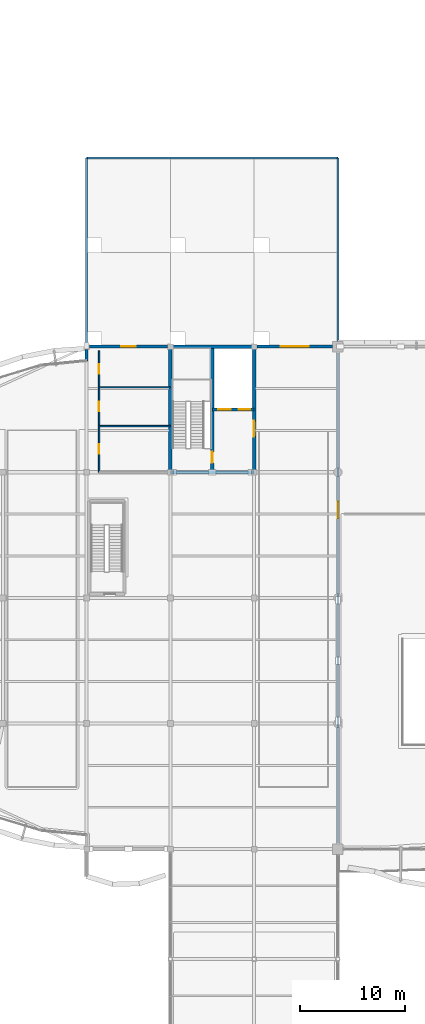
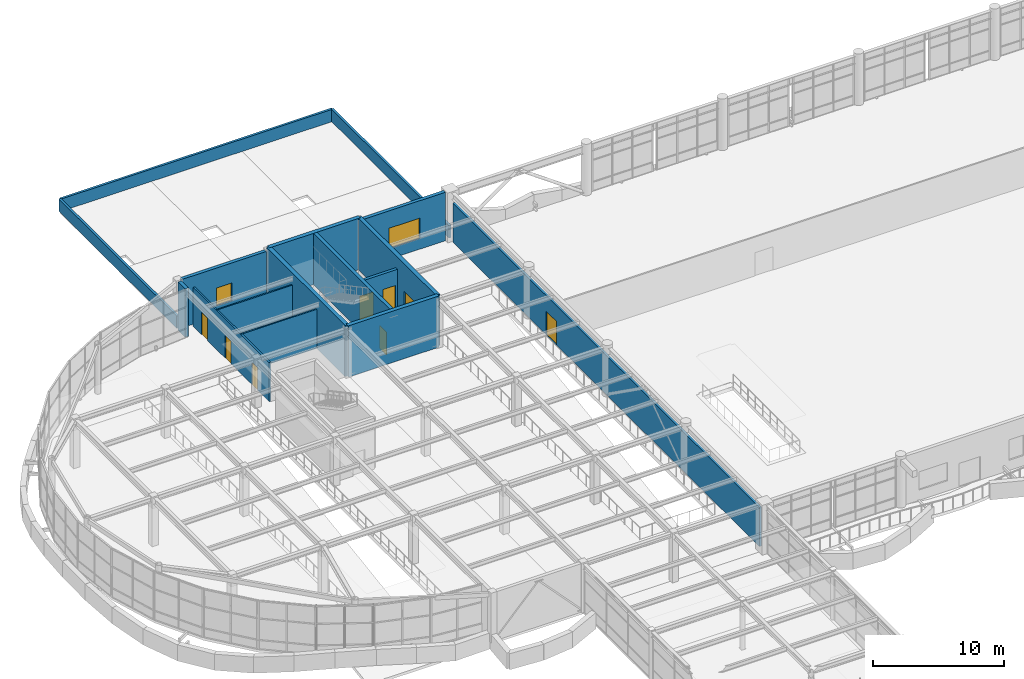
# One storey, part 50 of 72: 16 walls, 8 doors, 2 windows, 10 openings.
"""IFC4 building model written with IfcOpenShell, lengths in metres."""

from ifc_helpers import new_model, si_unit, direction, frame, frame_2d, origin, place, context, subcontext, project, spatial, rectangle, extrude, material, layer, layer_set, type_object, element, fill, save


model = new_model("IFC4")

# Units and contexts
model_context = context("Model", 3, precision=1e-05, world=origin(), true_north=direction((0.0, 1.0)))
body_context = subcontext(model_context, "Body", "Model", "MODEL_VIEW")
ifc_project = project(units=[si_unit("LENGTHUNIT", "METRE"), si_unit("AREAUNIT", "SQUARE_METRE"), si_unit("VOLUMEUNIT", "CUBIC_METRE"), si_unit("PLANEANGLEUNIT", "RADIAN"), si_unit("MASSUNIT", "GRAM", prefix="KILO")], contexts=[model_context])

# Site, building, storey
site_placement = place(None, origin())
site = spatial("IfcSite", under=ifc_project, at=site_placement, CompositionType="ELEMENT")
building_placement = place(site_placement, origin())
building = spatial("IfcBuilding", under=site, at=building_placement, Name="Keelwater Ferry Terminal", CompositionType="ELEMENT")
storey_placement = place(building_placement, frame((0.0, 0.0, 5.39990234375)))
storey = spatial("IfcBuildingStorey", under=building, at=storey_placement, Name="L01", CompositionType="ELEMENT", Elevation=5.39990234375)

# Wall
ifc_material_1 = material(Name="Precast concrete C40/50", Category="concrete")
ifc_layer_1 = layer(ifc_material_1, 0.300048828125)
ifc_layer_set_1 = layer_set([ifc_layer_1], Name="Precast concrete C40/50")
wall_type_1 = type_object("IfcWallType", Name="EW-PC300 External Solid Wall 300", PredefinedType="SOLIDWALL", material=ifc_layer_set_1)
wall_1_placement = place(storey_placement, frame((24.0, 89.72509765625, 0.0), z_axis=(0.0, 0.0, 1.0), x_axis=(0.0, -1.0, 0.0)))
element("IfcWall", 1, at=wall_1_placement, inside=storey, type_object=wall_type_1, Name="External Wall WL-L01-0021", PredefinedType="SOLIDWALL", context=body_context, shape_type="SweptSolid", body=[
    extrude(rectangle(XDim=1.0751953125, YDim=0.300048828125, at=frame_2d((0.53759765625, 0.0))), origin(), (0.0, 0.0, 1.0), 4.52001953125),
])

# Wall, opening, window
wall_2_placement = place(storey_placement, frame((24.27490234375, 90.0, 0.0), z_axis=(0.0, 0.0, 1.0), x_axis=(1.0, 0.0, 0.0)))
wall_2 = element("IfcWall", 2, at=wall_2_placement, inside=storey, type_object=wall_type_1, Name="External Wall WL-L01-0063", PredefinedType="SOLIDWALL", context=body_context, shape_type="SweptSolid", body=[
    extrude(rectangle(XDim=7.4501953125, YDim=0.300048828125, at=frame_2d((3.72509765625, 0.0))), origin(), (0.0, 0.0, 1.0), 4.52001953125),
])
opening_1_placement = place(wall_2_placement, frame((3.050048828125, 0.0, 1.0)))
opening_1 = element("IfcOpeningElement", 3, at=opening_1_placement, cuts=wall_2, Name="Opening WN-30", PredefinedType="OPENING", context=body_context, shape_type="SweptSolid", body=[
    extrude(rectangle(XDim=1.35009765625, YDim=1.64990234375, at=frame_2d((0.675048828125, 0.824951171875))), frame((0.0, 0.159912109375, 0.0), z_axis=(0.0, -1.0, 0.0), x_axis=(1.0, 0.0, 0.0)), (0.0, 0.0, 1.0), 0.320068359375),
])
ifc_material_2 = material(Name="Triple low-E glass in thermally broken aluminium frame", Category="aluminium")
window_type_1 = type_object("IfcWindowType", Name="WN-30 Exterior Window 1350x1650", PartitioningType="SINGLE_PANEL", PredefinedType="WINDOW", material=ifc_material_2)
window_1_placement = place(opening_1_placement, origin())
window_1 = element("IfcWindow", 4, at=window_1_placement, inside=storey, type_object=window_type_1, Name="Window WN-L01-0030", OverallHeight=1.64990234375, OverallWidth=1.35009765625, PartitioningType="SINGLE_PANEL", PredefinedType="WINDOW", context=body_context, shape_type="SweptSolid", body=[
    extrude(rectangle(XDim=1.35009765625, YDim=1.64990234375, at=frame_2d((0.675048828125, 0.824951171875))), frame((0.0, 0.030029296875, 0.0), z_axis=(0.0, -1.0, 0.0), x_axis=(1.0, 0.0, 0.0)), (0.0, 0.0, 1.0), 0.06005859375),
])
fill(opening_1, window_1)

wall_3_placement = place(storey_placement, frame((40.27490234375, 90.0, 0.0), z_axis=(0.0, 0.0, 1.0), x_axis=(1.0, 0.0, 0.0)))
wall_3 = element("IfcWall", 5, at=wall_3_placement, inside=storey, type_object=wall_type_1, Name="External Wall WL-L01-0064", PredefinedType="SOLIDWALL", context=body_context, shape_type="SweptSolid", body=[
    extrude(rectangle(XDim=7.22509765625, YDim=0.300048828125, at=frame_2d((3.612548828125, 0.0))), origin(), (0.0, 0.0, 1.0), 4.52001953125),
])
opening_2_placement = place(wall_3_placement, frame((2.262939453125, 0.0, 1.0)))
opening_2 = element("IfcOpeningElement", 6, at=opening_2_placement, cuts=wall_3, Name="Opening WN-31", PredefinedType="OPENING", context=body_context, shape_type="SweptSolid", body=[
    extrude(rectangle(XDim=2.699951171875, YDim=1.89990234375, at=frame_2d((1.35009765625, 0.949951171875))), frame((0.0, 0.159912109375, 0.0), z_axis=(0.0, -1.0, 0.0), x_axis=(1.0, 0.0, 0.0)), (0.0, 0.0, 1.0), 0.320068359375),
])
ifc_material_3 = material(Name="Triple low-E glass in thermally broken aluminium frame", Category="aluminium")
window_type_2 = type_object("IfcWindowType", Name="WN-31 Exterior Window 2700x1900", PartitioningType="SINGLE_PANEL", PredefinedType="WINDOW", material=ifc_material_3)
window_2_placement = place(opening_2_placement, origin())
window_2 = element("IfcWindow", 7, at=window_2_placement, inside=storey, type_object=window_type_2, Name="Window WN-L01-0031", OverallHeight=1.89990234375, OverallWidth=2.699951171875, PartitioningType="SINGLE_PANEL", PredefinedType="WINDOW", context=body_context, shape_type="SweptSolid", body=[
    extrude(rectangle(XDim=2.699951171875, YDim=1.89990234375, at=frame_2d((1.35009765625, 0.949951171875))), frame((0.0, 0.030029296875, 0.0), z_axis=(0.0, -1.0, 0.0), x_axis=(1.0, 0.0, 0.0)), (0.0, 0.0, 1.0), 0.06005859375),
])
fill(opening_2, window_2)

# Wall, opening, door
ifc_material_4 = material(Name="Concrete C40/50", Category="concrete")
ifc_layer_2 = layer(ifc_material_4, 0.199951171875)
ifc_layer_set_2 = layer_set([ifc_layer_2], Name="Concrete C40/50")
wall_type_2 = type_object("IfcWallType", Name="IW-200 Solid Wall 200", PredefinedType="SOLIDWALL", material=ifc_layer_set_2)
wall_4_placement = place(storey_placement, frame((48.0, 42.60009765625, 0.0), z_axis=(0.0, 0.0, 1.0), x_axis=(0.0, 1.0, 0.0)))
wall_4 = element("IfcWall", 8, at=wall_4_placement, inside=storey, type_object=wall_type_2, Name="Interior Wall WL-INT-L01-0243", PredefinedType="SOLIDWALL", context=body_context, shape_type="SweptSolid", body=[
    extrude(rectangle(XDim=46.7998046875, YDim=0.199951171875, at=frame_2d((23.39990234375, 0.0))), origin(), (0.0, 0.0, 1.0), 3.650146484375),
])
opening_3_placement = place(wall_4_placement, frame((31.0, 0.0, 0.0)))
opening_3 = element("IfcOpeningElement", 9, at=opening_3_placement, cuts=wall_4, Name="Opening DR-021", PredefinedType="OPENING", context=body_context, shape_type="SweptSolid", body=[
    extrude(rectangle(XDim=1.60009765625, YDim=2.199951171875, at=frame_2d((0.800048828125, 1.10009765625))), frame((0.0, 0.110107421875, 0.0), z_axis=(0.0, -1.0, 0.0), x_axis=(1.0, 0.0, 0.0)), (0.0, 0.0, 1.0), 0.219970703125),
])
ifc_material_5 = material(Name="Acoustic oak and fire-rated steel frame door", Category="steel")
door_type_1 = type_object("IfcDoorType", Name="ID-01 Pedestrian Door 1600x2200", OperationType="DOUBLE_DOOR_SINGLE_SWING", PredefinedType="DOOR", material=ifc_material_5)
door_1_placement = place(opening_3_placement, origin())
door_1 = element("IfcDoor", 10, at=door_1_placement, inside=storey, type_object=door_type_1, Name="Door DR-021", OperationType="DOUBLE_DOOR_SINGLE_SWING", OverallHeight=2.199951171875, OverallWidth=1.60009765625, PredefinedType="DOOR", context=body_context, shape_type="SweptSolid", body=[
    extrude(rectangle(XDim=1.60009765625, YDim=2.199951171875, at=frame_2d((0.800048828125, 1.10009765625))), frame((0.0, 0.02490234375, 0.0), z_axis=(0.0, -1.0, 0.0), x_axis=(1.0, 0.0, 0.0)), (0.0, 0.0, 1.0), 0.050048828125),
])
fill(opening_3, door_1)

# Wall, openings, doors
ifc_material_6 = material(Name="Concrete C40/50", Category="concrete")
ifc_layer_3 = layer(ifc_material_6, 0.25)
ifc_layer_set_3 = layer_set([ifc_layer_3], Name="Concrete C40/50")
wall_type_3 = type_object("IfcWallType", Name="IW-250 Solid Wall 250", PredefinedType="SOLIDWALL", material=ifc_layer_set_3)
wall_5_placement = place(storey_placement, frame((40.0, 84.0, 0.0), z_axis=(0.0, 0.0, 1.0), x_axis=(-1.0, 0.0, 0.0)))
wall_5 = element("IfcWall", 11, at=wall_5_placement, inside=storey, type_object=wall_type_3, Name="Interior Wall WL-INT-L01-0012", PredefinedType="SOLIDWALL", context=body_context, shape_type="SweptSolid", body=[
    extrude(rectangle(XDim=4.0, YDim=0.25, at=frame_2d((2.0, 0.0))), origin(), (0.0, 0.0, 1.0), 3.650146484375),
])
opening_4_placement = place(wall_5_placement, frame((0.35009765625, 0.0, 0.0)))
opening_4 = element("IfcOpeningElement", 12, at=opening_4_placement, cuts=wall_5, Name="Opening LD-003", PredefinedType="OPENING", context=body_context, shape_type="SweptSolid", body=[
    extrude(rectangle(XDim=1.10009765625, YDim=2.199951171875, at=frame_2d((0.550048828125, 1.10009765625))), frame((0.0, 0.135009765625, 0.0), z_axis=(0.0, -1.0, 0.0), x_axis=(1.0, 0.0, 0.0)), (0.0, 0.0, 1.0), 0.27001953125),
])
opening_5_placement = place(wall_5_placement, frame((2.25, 0.0, 0.0)))
opening_5 = element("IfcOpeningElement", 13, at=opening_5_placement, cuts=wall_5, Name="Opening LD-004", PredefinedType="OPENING", context=body_context, shape_type="SweptSolid", body=[
    extrude(rectangle(XDim=1.199951171875, YDim=2.199951171875, at=frame_2d((0.60009765625, 1.10009765625))), frame((0.0, 0.135009765625, 0.0), z_axis=(0.0, -1.0, 0.0), x_axis=(1.0, 0.0, 0.0)), (0.0, 0.0, 1.0), 0.27001953125),
])
ifc_material_7 = material(Name="Stainless steel sliding landing doors", Category="steel")
door_type_2 = type_object("IfcDoorType", Name="LD-T1 Lift Landing Door 1100x2200", OperationType="SLIDING_TO_LEFT", PredefinedType="USERDEFINED", material=ifc_material_7)
door_2_placement = place(opening_4_placement, origin())
door_2 = element("IfcDoor", 14, at=door_2_placement, inside=storey, type_object=door_type_2, Name="Door LD-003", ObjectType="LANDING DOOR", OperationType="SLIDING_TO_LEFT", OverallHeight=2.199951171875, OverallWidth=1.10009765625, PredefinedType="USERDEFINED", context=body_context, shape_type="SweptSolid", body=[
    extrude(rectangle(XDim=1.10009765625, YDim=2.199951171875, at=frame_2d((0.550048828125, 1.10009765625))), frame((0.0, 0.02490234375, 0.0), z_axis=(0.0, -1.0, 0.0), x_axis=(1.0, 0.0, 0.0)), (0.0, 0.0, 1.0), 0.050048828125),
])
fill(opening_4, door_2)
ifc_material_8 = material(Name="Stainless steel sliding landing doors", Category="steel")
door_type_3 = type_object("IfcDoorType", Name="LD-T2 Lift Landing Door 1200x2200", OperationType="DOUBLE_DOOR_SLIDING", PredefinedType="USERDEFINED", material=ifc_material_8)
door_3_placement = place(opening_5_placement, origin())
door_3 = element("IfcDoor", 15, at=door_3_placement, inside=storey, type_object=door_type_3, Name="Door LD-004", ObjectType="LANDING DOOR", OperationType="DOUBLE_DOOR_SLIDING", OverallHeight=2.199951171875, OverallWidth=1.199951171875, PredefinedType="USERDEFINED", context=body_context, shape_type="SweptSolid", body=[
    extrude(rectangle(XDim=1.199951171875, YDim=2.199951171875, at=frame_2d((0.60009765625, 1.10009765625))), frame((0.0, 0.02490234375, 0.0), z_axis=(0.0, -1.0, 0.0), x_axis=(1.0, 0.0, 0.0)), (0.0, 0.0, 1.0), 0.050048828125),
])
fill(opening_5, door_3)

# Walls
ifc_material_9 = material(Name="Gypsum board on acoustic steel stud", Category="steel")
ifc_layer_4 = layer(ifc_material_9, 0.125)
ifc_layer_set_4 = layer_set([ifc_layer_4], Name="Gypsum board on acoustic steel stud")
wall_type_4 = type_object("IfcWallType", Name="PT-125 Partition Wall 125", PredefinedType="PARTITIONING", material=ifc_layer_set_4)
for number, where, z_axis, x_axis, name in (
    (16, (25.199951171875, 82.407958984375, 0.0), (0.0, 0.0, 1.0), (1.0, 0.0, 0.0), "Interior Wall WL-INT-L01-0158"),
    (17, (25.199951171875, 86.1201171875, 0.0), (0.0, 0.0, 1.0), (1.0, 0.0, 0.0), "Interior Wall WL-INT-L01-0159"),
):
    element("IfcWall", number, at=place(storey_placement, frame(where, z_axis=z_axis, x_axis=x_axis)), inside=storey, type_object=wall_type_4, Name=name, PredefinedType="PARTITIONING", context=body_context, shape_type="SweptSolid", body=[
        extrude(rectangle(XDim=6.800048828125, YDim=0.125, at=frame_2d((3.39990234375, 0.0))), origin(), (0.0, 0.0, 1.0), 3.650146484375),
    ])

# Wall, openings, doors
ifc_material_10 = material(Name="Gypsum board on acoustic steel stud", Category="steel")
ifc_layer_5 = layer(ifc_material_10, 0.14990234375)
ifc_layer_set_5 = layer_set([ifc_layer_5], Name="Gypsum board on acoustic steel stud")
wall_type_5 = type_object("IfcWallType", Name="PT-150 Partition Wall 150", PredefinedType="PARTITIONING", material=ifc_layer_set_5)
wall_6_placement = place(storey_placement, frame((25.199951171875, 78.0, 0.0), z_axis=(0.0, 0.0, 1.0), x_axis=(0.0, 1.0, 0.0)))
wall_6 = element("IfcWall", 18, at=wall_6_placement, inside=storey, type_object=wall_type_5, Name="Interior Wall WL-INT-L01-0156", PredefinedType="PARTITIONING", context=body_context, shape_type="SweptSolid", body=[
    extrude(rectangle(XDim=11.60009765625, YDim=0.14990234375, at=frame_2d((5.800048828125, 0.0))), origin(), (0.0, 0.0, 1.0), 3.650146484375),
])
opening_6_placement = place(wall_6_placement, frame((1.75390625, 0.0, 0.0)))
opening_6 = element("IfcOpeningElement", 19, at=opening_6_placement, cuts=wall_6, Name="Opening WD-004", PredefinedType="OPENING", context=body_context, shape_type="SweptSolid", body=[
    extrude(rectangle(XDim=0.89990234375, YDim=2.10009765625, at=frame_2d((0.449951171875, 1.050048828125))), frame((0.0, 0.0849609375, 0.0), z_axis=(0.0, -1.0, 0.0), x_axis=(1.0, 0.0, 0.0)), (0.0, 0.0, 1.0), 0.169921875),
])
opening_7_placement = place(wall_6_placement, frame((5.81396484375, 0.0, 0.0)))
opening_7 = element("IfcOpeningElement", 20, at=opening_7_placement, cuts=wall_6, Name="Opening WD-005", PredefinedType="OPENING", context=body_context, shape_type="SweptSolid", body=[
    extrude(rectangle(XDim=0.89990234375, YDim=2.10009765625, at=frame_2d((0.449951171875, 1.050048828125))), frame((0.0, 0.0849609375, 0.0), z_axis=(0.0, -1.0, 0.0), x_axis=(1.0, 0.0, 0.0)), (0.0, 0.0, 1.0), 0.169921875),
])
opening_8_placement = place(wall_6_placement, frame((9.39990234375, 0.0, 0.0)))
opening_8 = element("IfcOpeningElement", 21, at=opening_8_placement, cuts=wall_6, Name="Opening WD-006", PredefinedType="OPENING", context=body_context, shape_type="SweptSolid", body=[
    extrude(rectangle(XDim=0.919921875, YDim=2.10009765625, at=frame_2d((0.4599609375, 1.050048828125))), frame((0.0, 0.0849609375, 0.0), z_axis=(0.0, -1.0, 0.0), x_axis=(1.0, 0.0, 0.0)), (0.0, 0.0, 1.0), 0.169921875),
])
ifc_material_11 = material(Name="Acoustic oak and fire-rated steel frame door", Category="steel")
door_type_4 = type_object("IfcDoorType", Name="ID-09 Pedestrian Door 920x2100", OperationType="NOTDEFINED", PredefinedType="DOOR", material=ifc_material_11)
door_4_placement = place(opening_8_placement, origin())
door_4 = element("IfcDoor", 22, at=door_4_placement, inside=storey, type_object=door_type_4, Name="Door WD-006", OperationType="SINGLE_SWING_RIGHT", OverallHeight=2.10009765625, OverallWidth=0.919921875, PredefinedType="DOOR", context=body_context, shape_type="SweptSolid", body=[
    extrude(rectangle(XDim=0.919921875, YDim=2.10009765625, at=frame_2d((0.4599609375, 1.050048828125))), frame((0.0, 0.02490234375, 0.0), z_axis=(0.0, -1.0, 0.0), x_axis=(1.0, 0.0, 0.0)), (0.0, 0.0, 1.0), 0.050048828125),
])
fill(opening_8, door_4)
ifc_material_12 = material(Name="Acoustic oak and fire-rated steel frame door", Category="steel")
door_type_5 = type_object("IfcDoorType", Name="ID-10 Pedestrian Door 900x2100", OperationType="NOTDEFINED", PredefinedType="DOOR", material=ifc_material_12)
door_5_placement = place(opening_6_placement, origin())
door_5 = element("IfcDoor", 23, at=door_5_placement, inside=storey, type_object=door_type_5, Name="Door WD-004", OperationType="SINGLE_SWING_RIGHT", OverallHeight=2.10009765625, OverallWidth=0.89990234375, PredefinedType="DOOR", context=body_context, shape_type="SweptSolid", body=[
    extrude(rectangle(XDim=0.89990234375, YDim=2.10009765625, at=frame_2d((0.449951171875, 1.050048828125))), frame((0.0, 0.02490234375, 0.0), z_axis=(0.0, -1.0, 0.0), x_axis=(1.0, 0.0, 0.0)), (0.0, 0.0, 1.0), 0.050048828125),
])
fill(opening_6, door_5)
door_6_placement = place(opening_7_placement, origin())
door_6 = element("IfcDoor", 24, at=door_6_placement, inside=storey, type_object=door_type_5, Name="Door WD-005", OperationType="SINGLE_SWING_LEFT", OverallHeight=2.10009765625, OverallWidth=0.89990234375, PredefinedType="DOOR", context=body_context, shape_type="SweptSolid", body=[
    extrude(rectangle(XDim=0.89990234375, YDim=2.10009765625, at=frame_2d((0.449951171875, 1.050048828125))), frame((0.0, 0.02490234375, 0.0), z_axis=(0.0, -1.0, 0.0), x_axis=(1.0, 0.0, 0.0)), (0.0, 0.0, 1.0), 0.050048828125),
])
fill(opening_7, door_6)

# Walls
ifc_material_13 = material(Name="Precast concrete C40/50", Category="concrete")
ifc_layer_6 = layer(ifc_material_13, 0.199951171875)
ifc_layer_set_6 = layer_set([ifc_layer_6], Name="Precast concrete C40/50")
wall_type_6 = type_object("IfcWallType", Name="PW-200 Roof Parapet 200", PredefinedType="PARAPET", material=ifc_layer_set_6)
wall_7_placement = place(storey_placement, frame((24.0, 90.0, 0.0), z_axis=(0.0, 0.0, 1.0), x_axis=(0.0, 1.0, 0.0)))
element("IfcWall", 25, at=wall_7_placement, inside=storey, type_object=wall_type_6, Name="Roof Parapet 1", PredefinedType="PARAPET", context=body_context, shape_type="SweptSolid", body=[
    extrude(rectangle(XDim=18.0, YDim=0.199951171875, at=frame_2d((9.0, 0.0))), origin(), (0.0, 0.0, 1.0), 1.150146484375),
])
wall_8_placement = place(storey_placement, frame((24.0, 108.0, 0.0), z_axis=(0.0, 0.0, 1.0), x_axis=(1.0, 0.0, 0.0)))
element("IfcWall", 26, at=wall_8_placement, inside=storey, type_object=wall_type_6, Name="Roof Parapet 2", PredefinedType="PARAPET", context=body_context, shape_type="SweptSolid", body=[
    extrude(rectangle(XDim=24.0, YDim=0.199951171875, at=frame_2d((12.0, 0.0))), origin(), (0.0, 0.0, 1.0), 1.150146484375),
])
wall_9_placement = place(storey_placement, frame((48.0, 108.0, 0.0), z_axis=(0.0, 0.0, 1.0), x_axis=(0.0, -1.0, 0.0)))
element("IfcWall", 27, at=wall_9_placement, inside=storey, type_object=wall_type_6, Name="Roof Parapet 3", PredefinedType="PARAPET", context=body_context, shape_type="SweptSolid", body=[
    extrude(rectangle(XDim=18.0, YDim=0.199951171875, at=frame_2d((9.0, 0.0))), origin(), (0.0, 0.0, 1.0), 1.150146484375),
])

# Wall, opening, door
ifc_material_14 = material(Name="Concrete C45/55", Category="concrete")
ifc_layer_7 = layer(ifc_material_14, 0.300048828125)
ifc_layer_set_7 = layer_set([ifc_layer_7], Name="Concrete C45/55")
wall_type_7 = type_object("IfcWallType", Name="SW-300 Shear Wall 300", PredefinedType="SHEAR", material=ifc_layer_set_7)
wall_10_placement = place(storey_placement, frame((36.0, 90.0, 0.0), z_axis=(0.0, 0.0, 1.0), x_axis=(0.0, -1.0, 0.0)))
wall_10 = element("IfcWall", 28, at=wall_10_placement, inside=storey, type_object=wall_type_7, Name="Interior Wall WL-INT-L01-0011", PredefinedType="SHEAR", context=body_context, shape_type="SweptSolid", body=[
    extrude(rectangle(XDim=12.0, YDim=0.300048828125, at=frame_2d((6.0, 0.0))), origin(), (0.0, 0.0, 1.0), 4.780029296875),
])
opening_9_placement = place(wall_10_placement, frame((10.050048828125, 0.0, 0.0)))
opening_9 = element("IfcOpeningElement", 29, at=opening_9_placement, cuts=wall_10, Name="Opening FD-003", PredefinedType="OPENING", context=body_context, shape_type="SweptSolid", body=[
    extrude(rectangle(XDim=1.050048828125, YDim=2.14990234375, at=frame_2d((0.52490234375, 1.074951171875))), frame((0.0, 0.159912109375, 0.0), z_axis=(0.0, -1.0, 0.0), x_axis=(1.0, 0.0, 0.0)), (0.0, 0.0, 1.0), 0.320068359375),
])
ifc_material_15 = material(Name="Acoustic oak and fire-rated steel frame door", Category="steel")
door_type_6 = type_object("IfcDoorType", Name="ID-06 Pedestrian Door 1050x2150", OperationType="NOTDEFINED", PredefinedType="DOOR", material=ifc_material_15)
door_7_placement = place(opening_9_placement, origin())
door_7 = element("IfcDoor", 30, at=door_7_placement, inside=storey, type_object=door_type_6, Name="Door FD-003", OperationType="SINGLE_SWING_LEFT", OverallHeight=2.14990234375, OverallWidth=1.050048828125, PredefinedType="DOOR", context=body_context, shape_type="SweptSolid", body=[
    extrude(rectangle(XDim=1.050048828125, YDim=2.14990234375, at=frame_2d((0.52490234375, 1.074951171875))), frame((0.0, 0.02490234375, 0.0), z_axis=(0.0, -1.0, 0.0), x_axis=(1.0, 0.0, 0.0)), (0.0, 0.0, 1.0), 0.050048828125),
])
fill(opening_9, door_7)

# Walls
ifc_material_16 = material(Name="Concrete C45/55", Category="concrete")
ifc_layer_8 = layer(ifc_material_16, 0.35009765625)
ifc_layer_set_8 = layer_set([ifc_layer_8], Name="Concrete C45/55")
wall_type_8 = type_object("IfcWallType", Name="SW-350 Shear Wall 350", PredefinedType="SHEAR", material=ifc_layer_set_8)
for number, where, z_axis, x_axis, name in (
    (31, (32.0, 78.0, 0.0), (0.0, 0.0, 1.0), (1.0, 0.0, 0.0), "Interior Wall WL-INT-L01-0007"),
    (32, (32.0, 90.0, 0.0), (0.0, 0.0, 1.0), (1.0, 0.0, 0.0), "Interior Wall WL-INT-L01-0008"),
):
    element("IfcWall", number, at=place(storey_placement, frame(where, z_axis=z_axis, x_axis=x_axis)), inside=storey, type_object=wall_type_8, Name=name, PredefinedType="SHEAR", context=body_context, shape_type="SweptSolid", body=[
        extrude(rectangle(XDim=8.0, YDim=0.35009765625, at=frame_2d((4.0, 0.0))), origin(), (0.0, 0.0, 1.0), 4.780029296875),
    ])
wall_11_placement = place(storey_placement, frame((32.0, 78.0, 0.0), z_axis=(0.0, 0.0, 1.0), x_axis=(0.0, 1.0, 0.0)))
element("IfcWall", 33, at=wall_11_placement, inside=storey, type_object=wall_type_8, Name="Interior Wall WL-INT-L01-0009", PredefinedType="SHEAR", context=body_context, shape_type="SweptSolid", body=[
    extrude(rectangle(XDim=12.0, YDim=0.35009765625, at=frame_2d((6.0, 0.0))), origin(), (0.0, 0.0, 1.0), 4.780029296875),
])

# Wall, opening, door
wall_12_placement = place(storey_placement, frame((40.0, 78.0, 0.0), z_axis=(0.0, 0.0, 1.0), x_axis=(0.0, 1.0, 0.0)))
wall_12 = element("IfcWall", 34, at=wall_12_placement, inside=storey, type_object=wall_type_8, Name="Interior Wall WL-INT-L01-0010", PredefinedType="SHEAR", context=body_context, shape_type="SweptSolid", body=[
    extrude(rectangle(XDim=12.0, YDim=0.35009765625, at=frame_2d((6.0, 0.0))), origin(), (0.0, 0.0, 1.0), 4.780029296875),
])
opening_10_placement = place(wall_12_placement, frame((3.39990234375, 0.0, 0.0)))
opening_10 = element("IfcOpeningElement", 35, at=opening_10_placement, cuts=wall_12, Name="Opening FD-004", PredefinedType="OPENING", context=body_context, shape_type="SweptSolid", body=[
    extrude(rectangle(XDim=1.5, YDim=2.199951171875, at=frame_2d((0.75, 1.10009765625))), frame((0.0, 0.18505859375, 0.0), z_axis=(0.0, -1.0, 0.0), x_axis=(1.0, 0.0, 0.0)), (0.0, 0.0, 1.0), 0.3701171875),
])
ifc_material_17 = material(Name="Acoustic oak and fire-rated steel frame door", Category="steel")
door_type_7 = type_object("IfcDoorType", Name="ID-02 Pedestrian Door 1500x2200", OperationType="DOUBLE_DOOR_SINGLE_SWING", PredefinedType="DOOR", material=ifc_material_17)
door_8_placement = place(opening_10_placement, origin())
door_8 = element("IfcDoor", 36, at=door_8_placement, inside=storey, type_object=door_type_7, Name="Door FD-004", OperationType="DOUBLE_DOOR_SINGLE_SWING", OverallHeight=2.199951171875, OverallWidth=1.5, PredefinedType="DOOR", context=body_context, shape_type="SweptSolid", body=[
    extrude(rectangle(XDim=1.5, YDim=2.199951171875, at=frame_2d((0.75, 1.10009765625))), frame((0.0, 0.02490234375, 0.0), z_axis=(0.0, -1.0, 0.0), x_axis=(1.0, 0.0, 0.0)), (0.0, 0.0, 1.0), 0.050048828125),
])
fill(opening_10, door_8)

save(model, "model.ifc")
